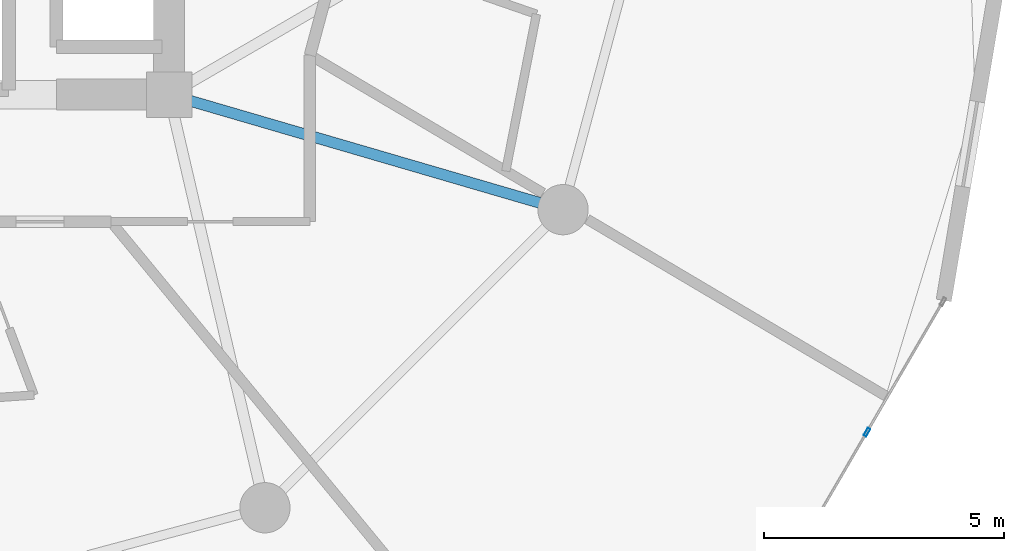
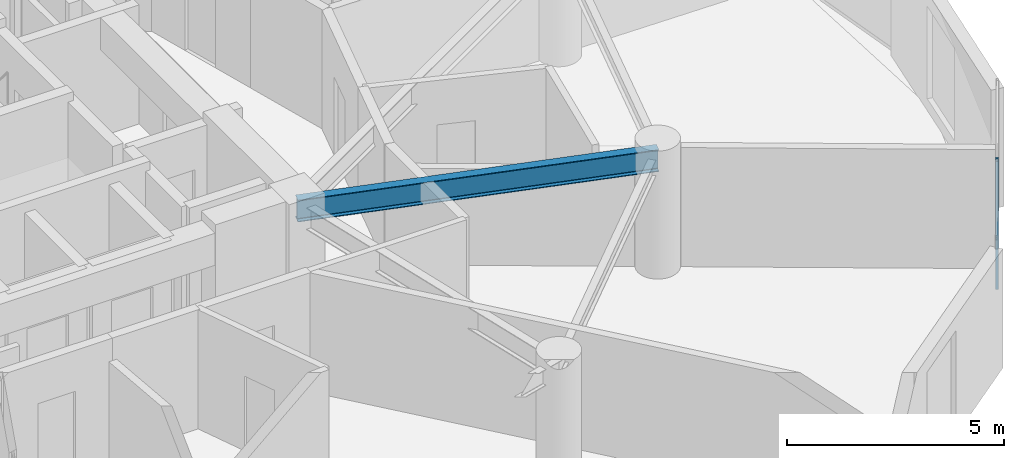
# One storey, part 5 of 20: 1 beam, 1 member, 1 element without a shape of its own.
"""IFC4 building model written with IfcOpenShell, lengths in metres."""

from ifc_helpers import new_model, si_unit, direction, frame, origin, origin_2d, place, context, subcontext, project, spatial, hollow_rectangle, i_section, extrude, source, transform, mapped, material, layer, layer_set, material_profile, profile_set, type_object, element, aggregate, save


model = new_model("IFC4")

# Units and contexts
model_context = context("Model", 3, precision=1e-05, world=origin(), true_north=direction((0.0, 1.0)))
body_context = subcontext(model_context, "Body", "Model", "MODEL_VIEW")
ifc_project = project(units=[si_unit("LENGTHUNIT", "METRE"), si_unit("AREAUNIT", "SQUARE_METRE"), si_unit("VOLUMEUNIT", "CUBIC_METRE"), si_unit("PLANEANGLEUNIT", "RADIAN"), si_unit("MASSUNIT", "GRAM", prefix="KILO")], contexts=[model_context])

# Site, building, storey
site_placement = place(None, origin())
site = spatial("IfcSite", under=ifc_project, at=site_placement, CompositionType="ELEMENT")
building_placement = place(site_placement, origin())
building = spatial("IfcBuilding", under=site, at=building_placement, Name="Solvirekh Grand Hotel", CompositionType="ELEMENT")
storey_placement = place(building_placement, frame((0.0, 0.0, 135.0)))
storey = spatial("IfcBuildingStorey", under=building, at=storey_placement, Name="L34", CompositionType="ELEMENT", Elevation=135.0)

# Beam
ifc_material_1 = material(Name="Steel S355", Category="steel")
ifc_material_profile_1 = material_profile(ifc_material_1, i_section(OverallWidth=0.22802734375, OverallDepth=0.616943359375, WebThickness=0.012939453125, FlangeThickness=0.02001953125, FilletRadius=0.014892578125, at=origin_2d()), Name="W610X140")
ifc_profile_set_1 = profile_set([ifc_material_profile_1], Name="Steel S355")
beam_type = type_object("IfcBeamType", Name="Beam_Radial_W610", PredefinedType="BEAM", material=ifc_profile_set_1)
beam_placement = place(storey_placement, frame((6.5, -6.10009765625, 3.041015625), z_axis=(0.959942195467, -0.28019811092, 0.0), x_axis=(0.28019811092, 0.959942195467, 0.0)))
element("IfcBeam", 1, at=beam_placement, inside=storey, type_object=beam_type, Name="L34 radial floor beam R12", PredefinedType="BEAM", context=body_context, shape_type="SweptSolid", body=[
    extrude(i_section(OverallWidth=0.22802734375, OverallDepth=0.616943359375, WebThickness=0.012939453125, FlangeThickness=0.02001953125, FilletRadius=0.014892578125, at=origin_2d()), origin(), (0.0, 0.0, 1.0), 8.56494140625),
])

# Curtain wall, member
ifc_material_2 = material(Name="Anodized Bronze Aluminium 6063-T6", Category="aluminium")
ifc_layer = layer(ifc_material_2, 0.175048828125)
ifc_layer_set = layer_set([ifc_layer], Name="Anodized Bronze Aluminium 6063-T6")
curtain_wall_type = type_object("IfcCurtainWallType", Name="CW_Sys3_MidZoneFlushBronzeCW", PredefinedType="NOTDEFINED", material=ifc_layer_set)
curtain_wall_placement = place(storey_placement, origin())
curtain_wall = element("IfcCurtainWall", 2, at=curtain_wall_placement, inside=storey, type_object=curtain_wall_type, Name="L34 unitised bronze-glass curtain wall CW-L34-C01", PredefinedType="NOTDEFINED")
ifc_material_profile_2 = material_profile(ifc_material_2, hollow_rectangle(XDim=0.06494140625, YDim=0.175048828125, WallThickness=0.0048828125, at=origin_2d()), Name="ALU RHS 175X65X5")
ifc_profile_set_2 = profile_set([ifc_material_profile_2], Name="Anodized Bronze Aluminium 6063-T6")
member_type = type_object("IfcMemberType", Name="CWMullion_Sys3", PredefinedType="MULLION", material=ifc_profile_set_2)
shared_shape = source(origin(), body_context, "Body", "SweptSolid", [
    extrude(hollow_rectangle(XDim=0.06494140625, YDim=0.175048828125, WallThickness=0.0048828125, at=origin_2d()), origin(), (0.0, 0.0, 1.0), 3.60009765625),
])
member_placement = place(storey_placement, frame((21.06591796875, -13.14501953125, 0.0), z_axis=(0.0, 0.0, 1.0), x_axis=(-0.864097597541, 0.503324291014, 0.0)))
member = element("IfcMember", 3, at=member_placement, type_object=member_type, Name="U03 mullion 2", PredefinedType="MULLION", context=body_context, shape_type="MappedRepresentation", body=[
    mapped(shared_shape, transform((0.0, 0.0, 0.0), x_axis=(1.0, 0.0, 0.0), y_axis=(0.0, 1.0, 0.0), z_axis=(0.0, 0.0, 1.0), scale=1.0)),
])
aggregate(curtain_wall, [member])

save(model, "model.ifc")
